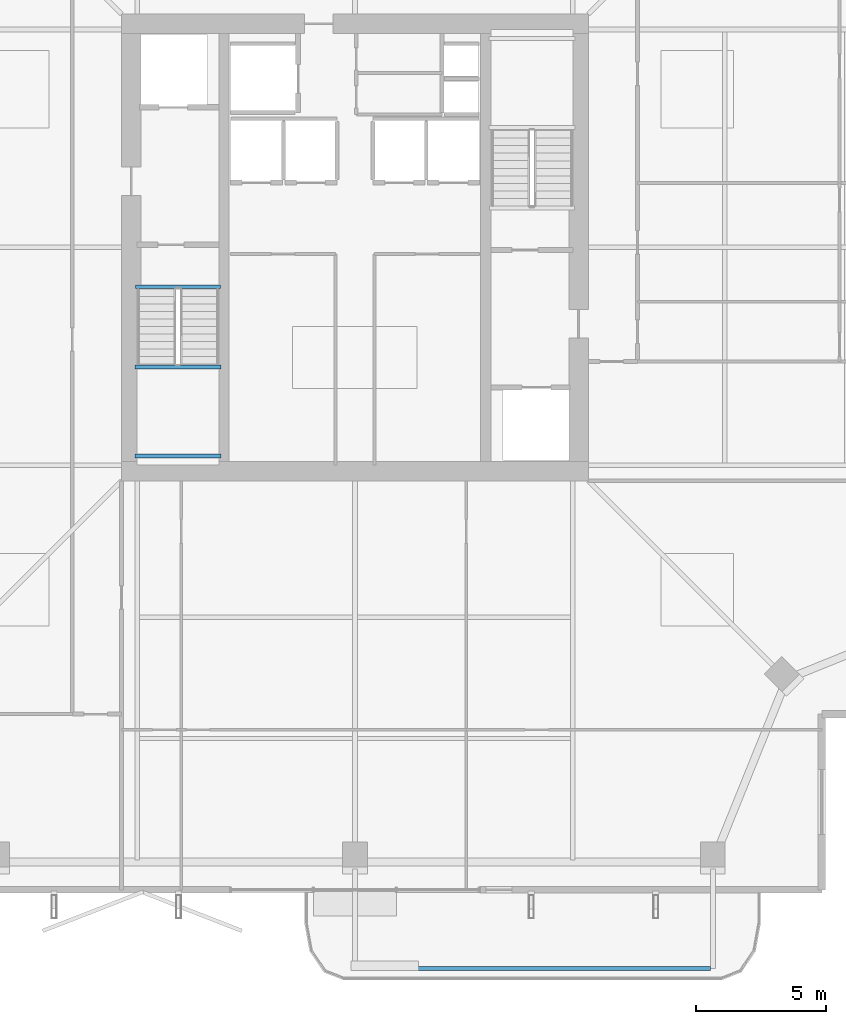
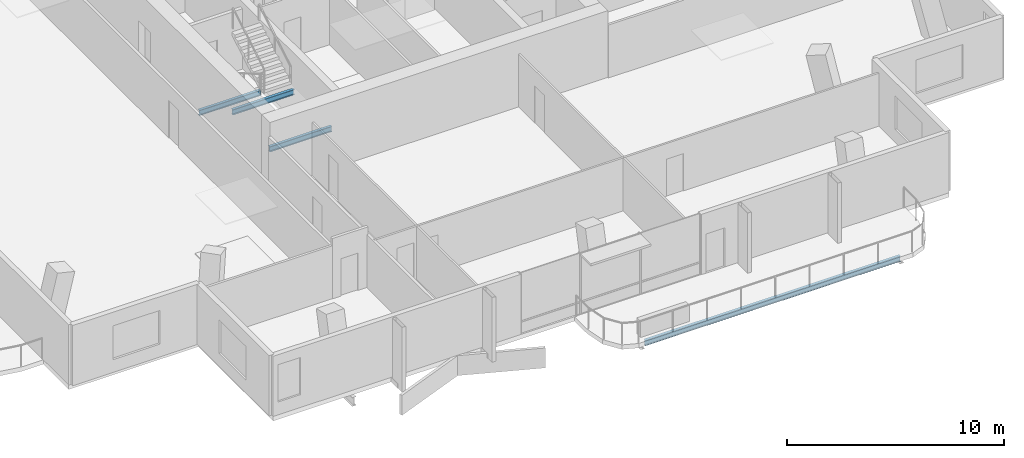
# One storey, part 7 of 25: 4 beams.
"""IFC4 building model written with IfcOpenShell, lengths in metres."""

from ifc_helpers import new_model, si_unit, direction, frame, origin, origin_2d, place, context, subcontext, project, spatial, i_section, extrude, material, material_profile, profile_set, type_object, element, save


model = new_model("IFC4")

# Units and contexts
model_context = context("Model", 3, precision=1e-05, world=origin(), true_north=direction((0.0, 1.0)))
body_context = subcontext(model_context, "Body", "Model", "MODEL_VIEW")
ifc_project = project(units=[si_unit("LENGTHUNIT", "METRE"), si_unit("AREAUNIT", "SQUARE_METRE"), si_unit("VOLUMEUNIT", "CUBIC_METRE"), si_unit("PLANEANGLEUNIT", "RADIAN"), si_unit("MASSUNIT", "GRAM", prefix="KILO")], contexts=[model_context])

# Site, building, storey
site_placement = place(None, origin())
site = spatial("IfcSite", under=ifc_project, at=site_placement, CompositionType="ELEMENT")
building_placement = place(site_placement, origin())
building = spatial("IfcBuilding", under=site, at=building_placement, Name="Belovzor Exchange Tower", CompositionType="ELEMENT")
storey_placement = place(building_placement, frame((0.0, 0.0, 280.35009765625)))
storey = spatial("IfcBuildingStorey", under=building, at=storey_placement, Name="L70", CompositionType="ELEMENT", Elevation=280.35009765625)

# Beams
ifc_material_1 = material(Name="Steel S355", Category="steel")
ifc_material_profile_1 = material_profile(ifc_material_1, i_section(OverallWidth=0.14990234375, OverallDepth=0.300048828125, WebThickness=0.007080078125, FlangeThickness=0.0107421875, at=origin_2d()))
ifc_profile_set_1 = profile_set([ifc_material_profile_1], Name="Steel S355")
beam_type_1 = type_object("IfcBeamType", Name="Planted Balcony Fascia Edge Beam IPE 300", PredefinedType="BEAM", material=ifc_profile_set_1)
beam_1_placement = place(storey_placement, frame((28.89990234375, 0.989013671875, -0.400146484375), z_axis=(1.0, 0.0, 0.0), x_axis=(0.0, 1.0, 0.0)))
element("IfcBeam", 1, at=beam_1_placement, inside=storey, type_object=beam_type_1, Name="BC-300 Planted Balcony Fascia Edge Beam IPE 300", PredefinedType="BEAM", context=body_context, shape_type="SweptSolid", body=[
    extrude(i_section(OverallWidth=0.14990234375, OverallDepth=0.300048828125, WebThickness=0.007080078125, FlangeThickness=0.0107421875, at=origin_2d()), origin(), (0.0, 0.0, 1.0), 13.60009765625),
])
ifc_material_2 = material(Name="Steel S355", Category="steel")
ifc_material_profile_2 = material_profile(ifc_material_2, i_section(OverallWidth=0.14990234375, OverallDepth=0.300048828125, WebThickness=0.007080078125, FlangeThickness=0.0107421875, at=origin_2d()))
ifc_profile_set_2 = profile_set([ifc_material_profile_2], Name="Steel S355")
beam_type_2 = type_object("IfcBeamType", Name="Secondary Trim Floor Joist IPE 300", PredefinedType="BEAM", material=ifc_profile_set_2)
for number, where, z_axis, x_axis, name in (
    (2, (20.320068359375, 24.179931640625, 1.52490234375), (1.0, 0.0, 0.0), (0.0, 1.0, 0.0), "FJ-300 Secondary Trim Floor Joist IPE 300"),
    (3, (20.320068359375, 20.75, 1.52490234375), (1.0, 0.0, 0.0), (0.0, 1.0, 0.0), "FJ-300 Secondary Trim Floor Joist IPE 300"),
):
    element("IfcBeam", number, at=place(storey_placement, frame(where, z_axis=z_axis, x_axis=x_axis)), inside=storey, type_object=beam_type_2, Name=name, PredefinedType="BEAM", context=body_context, shape_type="SweptSolid", body=[
        extrude(i_section(OverallWidth=0.14990234375, OverallDepth=0.300048828125, WebThickness=0.007080078125, FlangeThickness=0.0107421875, at=origin_2d()), origin(), (0.0, 0.0, 1.0), 3.309814453125),
    ])
beam_2_placement = place(storey_placement, frame((20.340087890625, 27.280029296875, -0.400146484375), z_axis=(1.0, 0.0, 0.0), x_axis=(0.0, 1.0, 0.0)))
element("IfcBeam", 4, at=beam_2_placement, inside=storey, type_object=beam_type_2, Name="FJ-300 Secondary Trim Floor Joist IPE 300", PredefinedType="BEAM", context=body_context, shape_type="SweptSolid", body=[
    extrude(i_section(OverallWidth=0.14990234375, OverallDepth=0.300048828125, WebThickness=0.007080078125, FlangeThickness=0.0107421875, at=origin_2d()), origin(), (0.0, 0.0, 1.0), 3.27001953125),
])

save(model, "model.ifc")
